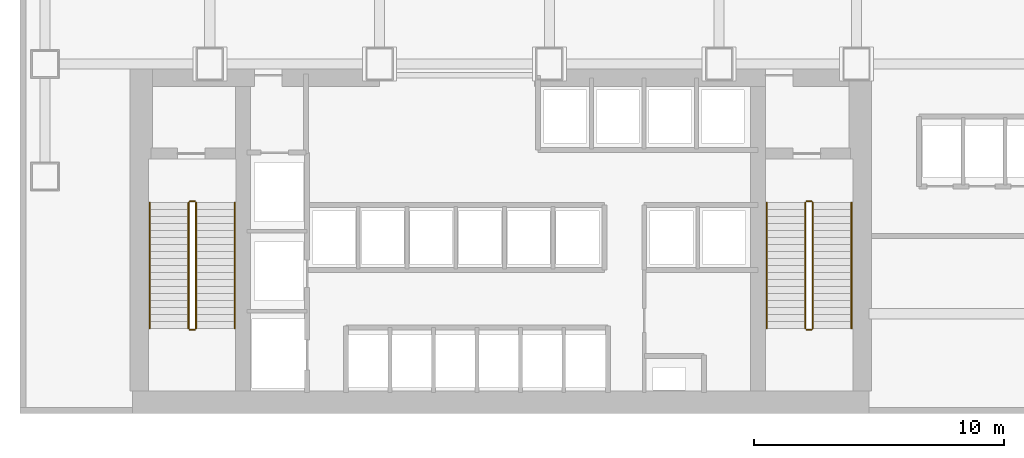
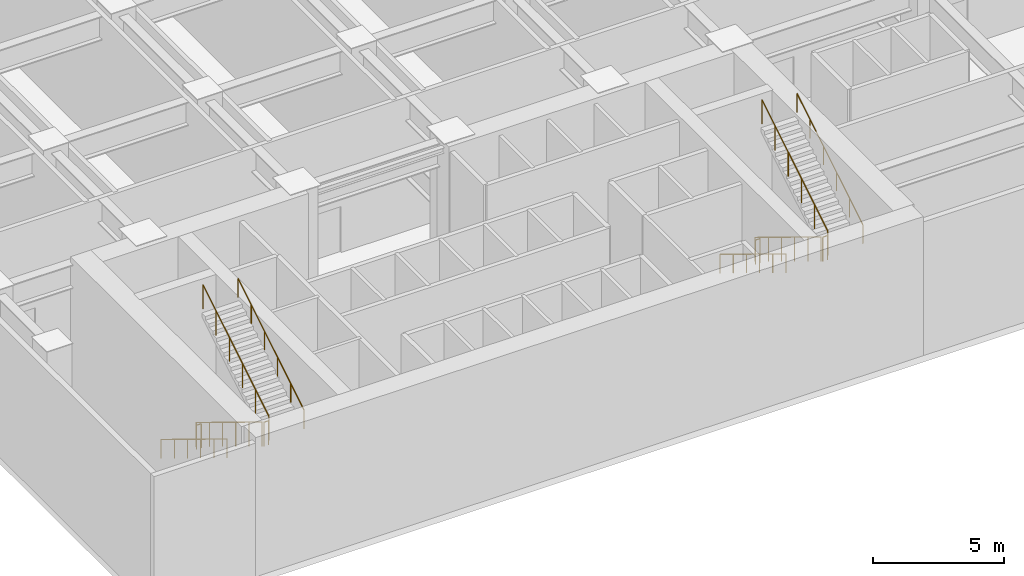
# One storey, part 14 of 15: 12 railings.
"""IFC4 building model written with IfcOpenShell, lengths in metres."""

from ifc_helpers import new_model, si_unit, derived_unit, direction, frame, origin, origin_2d, place, context, subcontext, project, spatial, circle, extrude, material, type_object, element, save


model = new_model("IFC4")

# Units and contexts
model_context = context("Model", 3, precision=1e-05, world=origin(), true_north=direction((0.0, 1.0)))
body_context = subcontext(model_context, "Body", "Model", "MODEL_VIEW")
ifc_project = project(units=[si_unit("LENGTHUNIT", "METRE"), si_unit("AREAUNIT", "SQUARE_METRE"), si_unit("VOLUMEUNIT", "CUBIC_METRE"), si_unit("PLANEANGLEUNIT", "RADIAN"), si_unit("MASSUNIT", "GRAM", prefix="KILO"), derived_unit("THERMALTRANSMITTANCEUNIT", [(si_unit("POWERUNIT", "WATT"), 1), (si_unit("LENGTHUNIT", "METRE"), -2), (si_unit("THERMODYNAMICTEMPERATUREUNIT", "KELVIN"), -1)])], contexts=[model_context])

# Site, building, storey
site_placement = place(None, origin())
site = spatial("IfcSite", under=ifc_project, at=site_placement, CompositionType="ELEMENT")
building_placement = place(site_placement, origin())
building = spatial("IfcBuilding", under=site, at=building_placement, Name="Skarnbrae Concourse Arena and Tower", CompositionType="ELEMENT")
storey_placement = place(building_placement, frame((0.0, 0.0, 26.0)))
storey = spatial("IfcBuildingStorey", under=building, at=storey_placement, Name="L05", CompositionType="ELEMENT", Elevation=26.0)

# Railings
ifc_material = material(Name="Steel CSA G40.21 350W", Category="steel")
railing_type_1 = type_object("IfcRailingType", Name="RAIL-HANDRAIL-900", PredefinedType="HANDRAIL", material=ifc_material)
railing_1_placement = place(storey_placement, frame((5.199951171875, 8.449951171875, 0.171142578125)))
element("IfcRailing", 1, at=railing_1_placement, inside=storey, type_object=railing_type_1, Name="L05 ST-1 stair handrail 1", PredefinedType="HANDRAIL", context=body_context, shape_type="SweptSolid", body=[
    extrude(circle(Radius=0.02392578125, at=origin_2d()), frame((0.0, 0.0, 0.8759765625), z_axis=(0.0, -0.853369698388, 0.521306203564), x_axis=(1.0, 0.0, 0.0)), (0.0, 0.0, 1.0), 5.906005859375),
    extrude(circle(Radius=0.02099609375, at=origin_2d()), origin(), (0.0, 0.0, 1.0), 0.851806640625),
    extrude(circle(Radius=0.02099609375, at=origin_2d()), frame((0.0, -1.008056640625, 0.61572265625)), (0.0, 0.0, 1.0), 0.851806640625),
    extrude(circle(Radius=0.02099609375, at=origin_2d()), frame((0.0, -2.01611328125, 1.2314453125)), (0.0, 0.0, 1.0), 0.851806640625),
    extrude(circle(Radius=0.02099609375, at=origin_2d()), frame((0.0, -3.02392578125, 1.847412109375)), (0.0, 0.0, 1.0), 0.851806640625),
    extrude(circle(Radius=0.02099609375, at=origin_2d()), frame((0.0, -4.031982421875, 2.463134765625)), (0.0, 0.0, 1.0), 0.851806640625),
    extrude(circle(Radius=0.02099609375, at=origin_2d()), frame((0.0, -5.0400390625, 3.078857421875)), (0.0, 0.0, 1.0), 0.851806640625),
])
railing_2_placement = place(storey_placement, frame((8.60009765625, 3.409912109375, 3.421142578125)))
element("IfcRailing", 2, at=railing_2_placement, inside=storey, type_object=railing_type_1, Name="L05 ST-1 stair handrail 2", PredefinedType="HANDRAIL", context=body_context, shape_type="SweptSolid", body=[
    extrude(circle(Radius=0.02392578125, at=origin_2d()), frame((0.0, 0.0, 0.8759765625), z_axis=(0.0, 0.853369698388, 0.521306203564), x_axis=(-1.0, 0.0, 0.0)), (0.0, 0.0, 1.0), 5.906005859375),
    extrude(circle(Radius=0.02099609375, at=origin_2d()), origin(), (0.0, 0.0, 1.0), 0.851806640625),
    extrude(circle(Radius=0.02099609375, at=origin_2d()), frame((0.0, 1.008056640625, 0.61572265625)), (0.0, 0.0, 1.0), 0.851806640625),
    extrude(circle(Radius=0.02099609375, at=origin_2d()), frame((0.0, 2.01611328125, 1.2314453125)), (0.0, 0.0, 1.0), 0.851806640625),
    extrude(circle(Radius=0.02099609375, at=origin_2d()), frame((0.0, 3.02392578125, 1.847412109375)), (0.0, 0.0, 1.0), 0.851806640625),
    extrude(circle(Radius=0.02099609375, at=origin_2d()), frame((0.0, 4.031982421875, 2.463134765625)), (0.0, 0.0, 1.0), 0.851806640625),
    extrude(circle(Radius=0.02099609375, at=origin_2d()), frame((0.0, 5.0400390625, 3.078857421875)), (0.0, 0.0, 1.0), 0.851806640625),
])
railing_3_placement = place(storey_placement, frame((29.89990234375, 8.449951171875, 0.171142578125)))
element("IfcRailing", 3, at=railing_3_placement, inside=storey, type_object=railing_type_1, Name="L05 ST-2 stair handrail 1", PredefinedType="HANDRAIL", context=body_context, shape_type="SweptSolid", body=[
    extrude(circle(Radius=0.02392578125, at=origin_2d()), frame((0.0, 0.0, 0.8759765625), z_axis=(0.0, -0.853369698388, 0.521306203564), x_axis=(1.0, 0.0, 0.0)), (0.0, 0.0, 1.0), 5.906005859375),
    extrude(circle(Radius=0.02099609375, at=origin_2d()), origin(), (0.0, 0.0, 1.0), 0.851806640625),
    extrude(circle(Radius=0.02099609375, at=origin_2d()), frame((0.0, -1.008056640625, 0.61572265625)), (0.0, 0.0, 1.0), 0.851806640625),
    extrude(circle(Radius=0.02099609375, at=origin_2d()), frame((0.0, -2.01611328125, 1.2314453125)), (0.0, 0.0, 1.0), 0.851806640625),
    extrude(circle(Radius=0.02099609375, at=origin_2d()), frame((0.0, -3.02392578125, 1.847412109375)), (0.0, 0.0, 1.0), 0.851806640625),
    extrude(circle(Radius=0.02099609375, at=origin_2d()), frame((0.0, -4.031982421875, 2.463134765625)), (0.0, 0.0, 1.0), 0.851806640625),
    extrude(circle(Radius=0.02099609375, at=origin_2d()), frame((0.0, -5.0400390625, 3.078857421875)), (0.0, 0.0, 1.0), 0.851806640625),
])
railing_4_placement = place(storey_placement, frame((33.300048828125, 3.409912109375, 3.421142578125)))
element("IfcRailing", 4, at=railing_4_placement, inside=storey, type_object=railing_type_1, Name="L05 ST-2 stair handrail 2", PredefinedType="HANDRAIL", context=body_context, shape_type="SweptSolid", body=[
    extrude(circle(Radius=0.02392578125, at=origin_2d()), frame((0.0, 0.0, 0.8759765625), z_axis=(0.0, 0.853369698388, 0.521306203564), x_axis=(-1.0, 0.0, 0.0)), (0.0, 0.0, 1.0), 5.906005859375),
    extrude(circle(Radius=0.02099609375, at=origin_2d()), origin(), (0.0, 0.0, 1.0), 0.851806640625),
    extrude(circle(Radius=0.02099609375, at=origin_2d()), frame((0.0, 1.008056640625, 0.61572265625)), (0.0, 0.0, 1.0), 0.851806640625),
    extrude(circle(Radius=0.02099609375, at=origin_2d()), frame((0.0, 2.01611328125, 1.2314453125)), (0.0, 0.0, 1.0), 0.851806640625),
    extrude(circle(Radius=0.02099609375, at=origin_2d()), frame((0.0, 3.02392578125, 1.847412109375)), (0.0, 0.0, 1.0), 0.851806640625),
    extrude(circle(Radius=0.02099609375, at=origin_2d()), frame((0.0, 4.031982421875, 2.463134765625)), (0.0, 0.0, 1.0), 0.851806640625),
    extrude(circle(Radius=0.02099609375, at=origin_2d()), frame((0.0, 5.0400390625, 3.078857421875)), (0.0, 0.0, 1.0), 0.851806640625),
])
railing_type_2 = type_object("IfcRailingType", Name="RAIL-STAIR-GUARD-1150", PredefinedType="GUARDRAIL", material=ifc_material)
railing_5_placement = place(storey_placement, frame((6.75, 8.449951171875, 0.171142578125)))
element("IfcRailing", 5, at=railing_5_placement, inside=storey, type_object=railing_type_2, Name="L05 ST-1 stair guard 1", PredefinedType="GUARDRAIL", context=body_context, shape_type="SweptSolid", body=[
    extrude(circle(Radius=0.02392578125, at=origin_2d()), frame((0.0, 0.0, 1.1259765625), z_axis=(0.0, -0.853369698388, 0.521306203564), x_axis=(1.0, 0.0, 0.0)), (0.0, 0.0, 1.0), 5.906005859375),
    extrude(circle(Radius=0.02099609375, at=origin_2d()), origin(), (0.0, 0.0, 1.0), 1.101806640625),
    extrude(circle(Radius=0.02099609375, at=origin_2d()), frame((0.0, -1.008056640625, 0.61572265625)), (0.0, 0.0, 1.0), 1.101806640625),
    extrude(circle(Radius=0.02099609375, at=origin_2d()), frame((0.0, -2.01611328125, 1.2314453125)), (0.0, 0.0, 1.0), 1.101806640625),
    extrude(circle(Radius=0.02099609375, at=origin_2d()), frame((0.0, -3.02392578125, 1.847412109375)), (0.0, 0.0, 1.0), 1.101806640625),
    extrude(circle(Radius=0.02099609375, at=origin_2d()), frame((0.0, -4.031982421875, 2.463134765625)), (0.0, 0.0, 1.0), 1.101806640625),
    extrude(circle(Radius=0.02099609375, at=origin_2d()), frame((0.0, -5.0400390625, 3.078857421875)), (0.0, 0.0, 1.0), 1.101806640625),
])
railing_6_placement = place(storey_placement, frame((6.800048828125, 3.360107421875, 3.25)))
element("IfcRailing", 6, at=railing_6_placement, inside=storey, type_object=railing_type_2, Name="L05 ST-1 stair guard 2", PredefinedType="GUARDRAIL", context=body_context, shape_type="SweptSolid", body=[
    extrude(circle(Radius=0.02392578125, at=origin_2d()), frame((0.0, 0.0, 1.1259765625), z_axis=(1.0, 0.0, 0.0), x_axis=(0.0, 1.0, 0.0)), (0.0, 0.0, 1.0), 0.199951171875),
    extrude(circle(Radius=0.02099609375, at=origin_2d()), origin(), (0.0, 0.0, 1.0), 1.101806640625),
    extrude(circle(Radius=0.02099609375, at=origin_2d()), frame((0.199951171875, 0.0, 0.0)), (0.0, 0.0, 1.0), 1.101806640625),
])
railing_7_placement = place(storey_placement, frame((7.050048828125, 3.409912109375, 3.421142578125)))
element("IfcRailing", 7, at=railing_7_placement, inside=storey, type_object=railing_type_2, Name="L05 ST-1 stair guard 3", PredefinedType="GUARDRAIL", context=body_context, shape_type="SweptSolid", body=[
    extrude(circle(Radius=0.02392578125, at=origin_2d()), frame((0.0, 0.0, 1.1259765625), z_axis=(0.0, 0.853369698388, 0.521306203564), x_axis=(-1.0, 0.0, 0.0)), (0.0, 0.0, 1.0), 5.906005859375),
    extrude(circle(Radius=0.02099609375, at=origin_2d()), origin(), (0.0, 0.0, 1.0), 1.101806640625),
    extrude(circle(Radius=0.02099609375, at=origin_2d()), frame((0.0, 1.008056640625, 0.61572265625)), (0.0, 0.0, 1.0), 1.101806640625),
    extrude(circle(Radius=0.02099609375, at=origin_2d()), frame((0.0, 2.01611328125, 1.2314453125)), (0.0, 0.0, 1.0), 1.101806640625),
    extrude(circle(Radius=0.02099609375, at=origin_2d()), frame((0.0, 3.02392578125, 1.847412109375)), (0.0, 0.0, 1.0), 1.101806640625),
    extrude(circle(Radius=0.02099609375, at=origin_2d()), frame((0.0, 4.031982421875, 2.463134765625)), (0.0, 0.0, 1.0), 1.101806640625),
    extrude(circle(Radius=0.02099609375, at=origin_2d()), frame((0.0, 5.0400390625, 3.078857421875)), (0.0, 0.0, 1.0), 1.101806640625),
])
railing_8_placement = place(storey_placement, frame((6.800048828125, 8.5, 0.0)))
element("IfcRailing", 8, at=railing_8_placement, inside=storey, type_object=railing_type_2, Name="L05 ST-1 stair guard 4", PredefinedType="GUARDRAIL", context=body_context, shape_type="SweptSolid", body=[
    extrude(circle(Radius=0.02392578125, at=origin_2d()), frame((0.0, 0.0, 1.1259765625), z_axis=(1.0, 0.0, 0.0), x_axis=(0.0, 1.0, 0.0)), (0.0, 0.0, 1.0), 0.199951171875),
    extrude(circle(Radius=0.02099609375, at=origin_2d()), origin(), (0.0, 0.0, 1.0), 1.101806640625),
    extrude(circle(Radius=0.02099609375, at=origin_2d()), frame((0.199951171875, 0.0, 0.0)), (0.0, 0.0, 1.0), 1.101806640625),
])
railing_9_placement = place(storey_placement, frame((31.449951171875, 8.449951171875, 0.171142578125)))
element("IfcRailing", 9, at=railing_9_placement, inside=storey, type_object=railing_type_2, Name="L05 ST-2 stair guard 1", PredefinedType="GUARDRAIL", context=body_context, shape_type="SweptSolid", body=[
    extrude(circle(Radius=0.02392578125, at=origin_2d()), frame((0.0, 0.0, 1.1259765625), z_axis=(0.0, -0.853369698388, 0.521306203564), x_axis=(1.0, 0.0, 0.0)), (0.0, 0.0, 1.0), 5.906005859375),
    extrude(circle(Radius=0.02099609375, at=origin_2d()), origin(), (0.0, 0.0, 1.0), 1.101806640625),
    extrude(circle(Radius=0.02099609375, at=origin_2d()), frame((0.0, -1.008056640625, 0.61572265625)), (0.0, 0.0, 1.0), 1.101806640625),
    extrude(circle(Radius=0.02099609375, at=origin_2d()), frame((0.0, -2.01611328125, 1.2314453125)), (0.0, 0.0, 1.0), 1.101806640625),
    extrude(circle(Radius=0.02099609375, at=origin_2d()), frame((0.0, -3.02392578125, 1.847412109375)), (0.0, 0.0, 1.0), 1.101806640625),
    extrude(circle(Radius=0.02099609375, at=origin_2d()), frame((0.0, -4.031982421875, 2.463134765625)), (0.0, 0.0, 1.0), 1.101806640625),
    extrude(circle(Radius=0.02099609375, at=origin_2d()), frame((0.0, -5.0400390625, 3.078857421875)), (0.0, 0.0, 1.0), 1.101806640625),
])
railing_10_placement = place(storey_placement, frame((31.5, 3.360107421875, 3.25)))
element("IfcRailing", 10, at=railing_10_placement, inside=storey, type_object=railing_type_2, Name="L05 ST-2 stair guard 2", PredefinedType="GUARDRAIL", context=body_context, shape_type="SweptSolid", body=[
    extrude(circle(Radius=0.02392578125, at=origin_2d()), frame((0.0, 0.0, 1.1259765625), z_axis=(1.0, 0.0, 0.0), x_axis=(0.0, 1.0, 0.0)), (0.0, 0.0, 1.0), 0.199951171875),
    extrude(circle(Radius=0.02099609375, at=origin_2d()), origin(), (0.0, 0.0, 1.0), 1.101806640625),
    extrude(circle(Radius=0.02099609375, at=origin_2d()), frame((0.199951171875, 0.0, 0.0)), (0.0, 0.0, 1.0), 1.101806640625),
])
railing_11_placement = place(storey_placement, frame((31.75, 3.409912109375, 3.421142578125)))
element("IfcRailing", 11, at=railing_11_placement, inside=storey, type_object=railing_type_2, Name="L05 ST-2 stair guard 3", PredefinedType="GUARDRAIL", context=body_context, shape_type="SweptSolid", body=[
    extrude(circle(Radius=0.02392578125, at=origin_2d()), frame((0.0, 0.0, 1.1259765625), z_axis=(0.0, 0.853369698388, 0.521306203564), x_axis=(-1.0, 0.0, 0.0)), (0.0, 0.0, 1.0), 5.906005859375),
    extrude(circle(Radius=0.02099609375, at=origin_2d()), origin(), (0.0, 0.0, 1.0), 1.101806640625),
    extrude(circle(Radius=0.02099609375, at=origin_2d()), frame((0.0, 1.008056640625, 0.61572265625)), (0.0, 0.0, 1.0), 1.101806640625),
    extrude(circle(Radius=0.02099609375, at=origin_2d()), frame((0.0, 2.01611328125, 1.2314453125)), (0.0, 0.0, 1.0), 1.101806640625),
    extrude(circle(Radius=0.02099609375, at=origin_2d()), frame((0.0, 3.02392578125, 1.847412109375)), (0.0, 0.0, 1.0), 1.101806640625),
    extrude(circle(Radius=0.02099609375, at=origin_2d()), frame((0.0, 4.031982421875, 2.463134765625)), (0.0, 0.0, 1.0), 1.101806640625),
    extrude(circle(Radius=0.02099609375, at=origin_2d()), frame((0.0, 5.0400390625, 3.078857421875)), (0.0, 0.0, 1.0), 1.101806640625),
])
railing_12_placement = place(storey_placement, frame((31.5, 8.5, 0.0)))
element("IfcRailing", 12, at=railing_12_placement, inside=storey, type_object=railing_type_2, Name="L05 ST-2 stair guard 4", PredefinedType="GUARDRAIL", context=body_context, shape_type="SweptSolid", body=[
    extrude(circle(Radius=0.02392578125, at=origin_2d()), frame((0.0, 0.0, 1.1259765625), z_axis=(1.0, 0.0, 0.0), x_axis=(0.0, 1.0, 0.0)), (0.0, 0.0, 1.0), 0.199951171875),
    extrude(circle(Radius=0.02099609375, at=origin_2d()), origin(), (0.0, 0.0, 1.0), 1.101806640625),
    extrude(circle(Radius=0.02099609375, at=origin_2d()), frame((0.199951171875, 0.0, 0.0)), (0.0, 0.0, 1.0), 1.101806640625),
])

save(model, "model.ifc")
